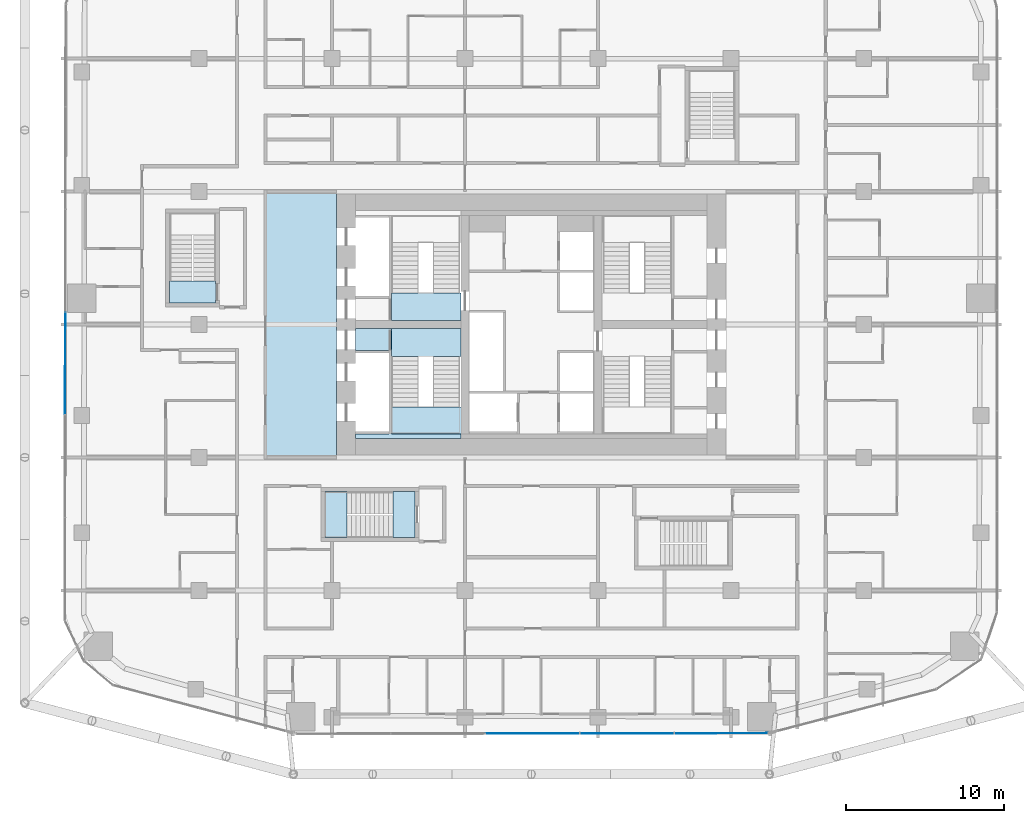
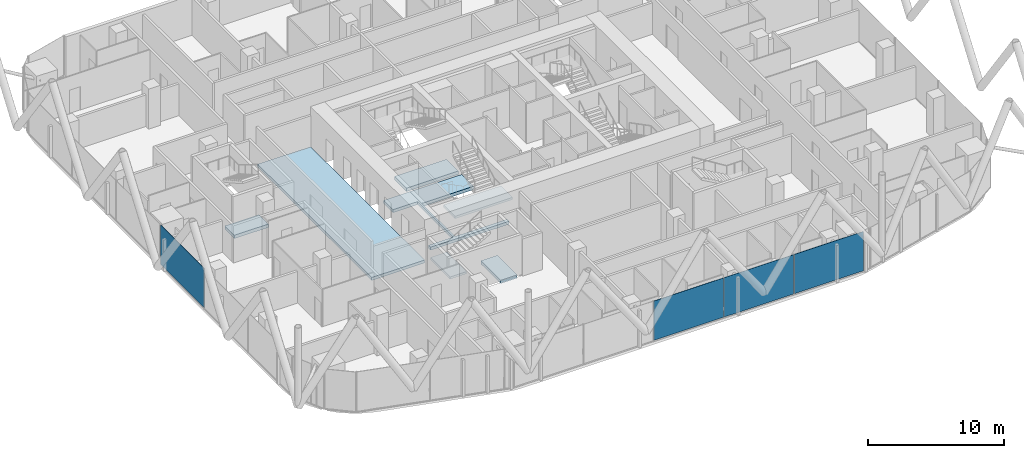
# One storey, part 19 of 34: 8 slabs, 4 plates, 4 elements without a shape of their own.
"""IFC4 building model written with IfcOpenShell, lengths in metres."""

from ifc_helpers import new_model, si_unit, direction, frame, origin, origin_2d, place, context, subcontext, project, spatial, polyline, rectangle, outline, extrude, material, layer, layer_set, type_object, element, aggregate, save


model = new_model("IFC4")

# Units and contexts
model_context = context("Model", 3, precision=1e-05, world=origin(), true_north=direction((0.0, 1.0)))
body_context = subcontext(model_context, "Body", "Model", "MODEL_VIEW")
ifc_project = project(units=[si_unit("LENGTHUNIT", "METRE"), si_unit("AREAUNIT", "SQUARE_METRE"), si_unit("VOLUMEUNIT", "CUBIC_METRE"), si_unit("PLANEANGLEUNIT", "RADIAN"), si_unit("MASSUNIT", "GRAM", prefix="KILO")], contexts=[model_context])

# Site, building, storey
site_placement = place(None, origin())
site = spatial("IfcSite", under=ifc_project, at=site_placement, CompositionType="ELEMENT")
building_placement = place(site_placement, origin())
building = spatial("IfcBuilding", under=site, at=building_placement, Name="Marenta Gate Hotel Tower", CompositionType="ELEMENT")
storey_placement = place(building_placement, frame((0.0, 0.0, 47.300048828125)))
storey = spatial("IfcBuildingStorey", under=building, at=storey_placement, Name="L09", CompositionType="ELEMENT", Elevation=47.300048828125)

# Slabs
ifc_material_1 = material(Name="Concrete C40", Category="concrete")
ifc_layer_1 = layer(ifc_material_1, 0.260009765625)
ifc_layer_set_1 = layer_set([ifc_layer_1], Name="Concrete C40")
slab_type_1 = type_object("IfcSlabType", Name="Core floor slab 260", PredefinedType="FLOOR", material=ifc_layer_set_1)
slab_1_placement = place(storey_placement, frame((0.0, 0.0, -0.260009765625)))
element("IfcSlab", 1, at=slab_1_placement, inside=storey, type_object=slab_type_1, Name="L09-CF-5", PredefinedType="FLOOR", context=body_context, shape_type="SweptSolid", body=[
    extrude(outline(polyline([(-9.0, 1.5), (-9.0, 1.64990234375), (-9.0, 4.050048828125), (-9.0, 4.199951171875), (-9.0, 6.60009765625), (-9.0, 6.75), (-11.10009765625, 6.75), (-11.10009765625, 8.14990234375), (-8.85009765625, 8.14990234375), (-8.85009765625, 8.10009765625), (-8.85009765625, 6.39990234375), (-8.85009765625, 1.5), (-4.449951171875, 1.5), (-4.449951171875, 1.199951171875), (-11.10009765625, 1.199951171875), (-11.10009765625, 1.5), (-9.0, 1.5)])), origin(), (0.0, 0.0, 1.0), 0.260009765625),
])
slab_2_placement = place(storey_placement, frame((0.0, 0.0, -0.260009765625)))
element("IfcSlab", 2, at=slab_2_placement, inside=storey, type_object=slab_type_1, Name="L09-CF-7", PredefinedType="FLOOR", context=body_context, shape_type="SweptSolid", body=[
    extrude(outline(polyline([(-12.300048828125, 16.800048828125), (-12.300048828125, 0.0), (-16.800048828125, 0.0), (-16.800048828125, 16.800048828125), (-12.300048828125, 16.800048828125)])), origin(), (0.0, 0.0, 1.0), 0.260009765625),
])

# Stair, slab
ifc_material_2 = material(Name="Concrete C40", Category="concrete")
stair_type_1 = type_object("IfcStairType", Name="Core exit stair 1700 wide", PredefinedType="HALF_TURN_STAIR", material=ifc_material_2)
stair_1_placement = place(storey_placement, origin())
stair_1 = element("IfcStair", 3, at=stair_1_placement, inside=storey, type_object=stair_type_1, Name="Exit stair 1", PredefinedType="HALF_TURN_STAIR")
ifc_material_3 = material(Name="Concrete C40", Category="concrete")
ifc_layer_2 = layer(ifc_material_3, 0.199951171875)
ifc_layer_set_2 = layer_set([ifc_layer_2], Name="Concrete C40")
slab_type_2 = type_object("IfcSlabType", Name="Core stair landing 200", PredefinedType="LANDING", material=ifc_layer_set_2)
slab_3_placement = place(storey_placement, frame((0.0, 0.0, 1.599853515625)))
slab_3 = element("IfcSlab", 4, at=slab_3_placement, type_object=slab_type_2, Name="SL-200 ST1 landing 1", PredefinedType="LANDING", context=body_context, shape_type="SweptSolid", body=[
    extrude(outline(polyline([(-8.85009765625, 1.5), (-3.949951171875, 1.5), (-3.949951171875, 3.2099609375), (-8.85009765625, 3.2099609375), (-8.85009765625, 1.5)])), origin(), (0.0, 0.0, 1.0), 0.2001953125),
])
aggregate(stair_1, [slab_3])

# Curtain wall, plate
ifc_material_4 = material(Name="Tinted insulated glass in bronze anodised frame", Category="glass")
ifc_layer_3 = layer(ifc_material_4, 0.1201171875)
ifc_layer_set_3 = layer_set([ifc_layer_3], Name="Tinted insulated glass in bronze anodised frame")
curtain_wall_type = type_object("IfcCurtainWallType", Name="Tower unitised curtain wall CW1", PredefinedType="NOTDEFINED", material=ifc_layer_set_3)
curtain_wall_1_placement = place(storey_placement, origin())
curtain_wall_1 = element("IfcCurtainWall", 5, at=curtain_wall_1_placement, inside=storey, type_object=curtain_wall_type, Name="CW1 run G04", PredefinedType="NOTDEFINED")
ifc_material_5 = material(Name="Tinted insulated glass", Category="glass")
ifc_layer_4 = layer(ifc_material_5, 0.028076171875)
ifc_layer_set_4 = layer_set([ifc_layer_4], Name="Tinted insulated glass")
plate_type = type_object("IfcPlateType", Name="Glass panel CW1 28 mm tinted insulated unit", PredefinedType="CURTAIN_PANEL", material=ifc_layer_set_4)
plate_1_placement = place(storey_placement, frame((-29.447998046875, 5.949951171875, 0.059814453125), z_axis=(0.0, 0.0, 1.0), x_axis=(-0.00156642217, -0.99999877316, 0.0)))
plate_1 = element("IfcPlate", 6, at=plate_1_placement, type_object=plate_type, Name="CW1 panel 4.1", PredefinedType="CURTAIN_PANEL", context=body_context, shape_type="SweptSolid", body=[
    extrude(rectangle(XDim=6.430419921875, YDim=0.028076171875, at=origin_2d()), origin(), (0.0, 0.0, 1.0), 3.5400390625),
])
aggregate(curtain_wall_1, [plate_1])

# Curtain wall, plates
curtain_wall_2_placement = place(storey_placement, origin())
curtain_wall_2 = element("IfcCurtainWall", 7, at=curtain_wall_2_placement, inside=storey, type_object=curtain_wall_type, Name="CW1 run G11", PredefinedType="NOTDEFINED")
plate_2_placement = place(storey_placement, frame((0.0615234375, -17.430419921875, 0.059814453125), z_axis=(0.0, 0.0, 1.0), x_axis=(0.999999324969, 0.001161921639, 0.0)))
plate_2 = element("IfcPlate", 8, at=plate_2_placement, type_object=plate_type, Name="CW1 panel 3.1", PredefinedType="CURTAIN_PANEL", context=body_context, shape_type="SweptSolid", body=[
    extrude(rectangle(XDim=5.912841796875, YDim=0.028076171875, at=origin_2d()), origin(), (0.0, 0.0, 1.0), 3.5400390625),
])
plate_3_placement = place(storey_placement, frame((6.034423828125, -17.423583984375, 0.059814453125), z_axis=(0.0, 0.0, 1.0), x_axis=(0.999999324969, 0.001161921639, 0.0)))
plate_3 = element("IfcPlate", 9, at=plate_3_placement, type_object=plate_type, Name="CW1 panel 4.1", PredefinedType="CURTAIN_PANEL", context=body_context, shape_type="SweptSolid", body=[
    extrude(rectangle(XDim=5.912841796875, YDim=0.028076171875, at=origin_2d()), origin(), (0.0, 0.0, 1.0), 3.5400390625),
])
plate_4_placement = place(storey_placement, frame((11.9921875, -17.41650390625, 0.059814453125), z_axis=(0.0, 0.0, 1.0), x_axis=(0.999999324969, 0.001161921639, 0.0)))
plate_4 = element("IfcPlate", 10, at=plate_4_placement, type_object=plate_type, Name="CW1 panel 5.1", PredefinedType="CURTAIN_PANEL", context=body_context, shape_type="SweptSolid", body=[
    extrude(rectangle(XDim=5.8828125, YDim=0.028076171875, at=origin_2d()), origin(), (0.0, 0.0, 1.0), 3.5400390625),
])
aggregate(curtain_wall_2, [plate_2, plate_3, plate_4])

# Stair, slab
ifc_material_6 = material(Name="Concrete C40", Category="concrete")
stair_type_2 = type_object("IfcStairType", Name="Remote exit stair 1400 wide", PredefinedType="HALF_TURN_STAIR", material=ifc_material_6)
stair_2_placement = place(storey_placement, origin())
stair_2 = element("IfcStair", 11, at=stair_2_placement, inside=storey, type_object=stair_type_2, Name="Exit stair RS-Z1-2", PredefinedType="HALF_TURN_STAIR")
ifc_material_7 = material(Name="Concrete C40", Category="concrete")
ifc_layer_5 = layer(ifc_material_7, 0.199951171875)
ifc_layer_set_5 = layer_set([ifc_layer_5], Name="Concrete C40")
slab_type_3 = type_object("IfcSlabType", Name="Remote stair landing 200", PredefinedType="LANDING", material=ifc_layer_set_5)
slab_4_placement = place(storey_placement, frame((0.0, 0.0, 1.599853515625)))
slab_4 = element("IfcSlab", 12, at=slab_4_placement, type_object=slab_type_3, Name="RL-200 RS-Z1-2 landing 1", PredefinedType="LANDING", context=body_context, shape_type="SweptSolid", body=[
    extrude(outline(polyline([(-13.050048828125, -5.050048828125), (-11.64990234375, -5.050048828125), (-11.64990234375, -2.14990234375), (-13.050048828125, -2.14990234375), (-13.050048828125, -5.050048828125)])), origin(), (0.0, 0.0, 1.0), 0.2001953125),
])
aggregate(stair_2, [slab_4])

# Slabs
ifc_material_8 = material(Name="Concrete C40", Category="concrete")
ifc_layer_6 = layer(ifc_material_8, 0.300048828125)
ifc_layer_set_6 = layer_set([ifc_layer_6], Name="Concrete C40")
slab_type_4 = type_object("IfcSlabType", Name="Stair floor landing slab 300", PredefinedType="FLOOR", material=ifc_layer_set_6)
slab_5_placement = place(storey_placement, frame((0.0, 0.0, -0.300048828125)))
element("IfcSlab", 13, at=slab_5_placement, inside=storey, type_object=slab_type_4, Name="L09-CL-ST1-1", PredefinedType="FLOOR", context=body_context, shape_type="SweptSolid", body=[
    extrude(outline(polyline([(-4.449951171875, 6.39990234375), (-8.85009765625, 6.39990234375), (-8.85009765625, 8.10009765625), (-8.85009765625, 8.14990234375), (-4.449951171875, 8.14990234375), (-4.449951171875, 6.39990234375)])), origin(), (0.0, 0.0, 1.0), 0.300048828125),
])
slab_6_placement = place(storey_placement, frame((0.0, 0.0, -0.300048828125)))
element("IfcSlab", 14, at=slab_6_placement, inside=storey, type_object=slab_type_4, Name="L09-CL-ST2-1", PredefinedType="FLOOR", context=body_context, shape_type="SweptSolid", body=[
    extrude(outline(polyline([(-4.449951171875, 8.64990234375), (-8.85009765625, 8.64990234375), (-8.85009765625, 8.699951171875), (-8.85009765625, 10.39990234375), (-4.449951171875, 10.39990234375), (-4.449951171875, 8.64990234375)])), origin(), (0.0, 0.0, 1.0), 0.300048828125),
])
slab_7_placement = place(storey_placement, frame((0.0, 0.0, -0.300048828125)))
element("IfcSlab", 15, at=slab_7_placement, inside=storey, type_object=slab_type_4, Name="L09-RS-Z1-2-CL", PredefinedType="FLOOR", context=body_context, shape_type="SweptSolid", body=[
    extrude(outline(polyline([(-7.35009765625, -5.050048828125), (-7.35009765625, -2.14990234375), (-8.75, -2.14990234375), (-8.75, -5.050048828125), (-7.35009765625, -5.050048828125)])), origin(), (0.0, 0.0, 1.0), 0.300048828125),
])
slab_8_placement = place(storey_placement, frame((0.0, 0.0, -0.300048828125)))
element("IfcSlab", 16, at=slab_8_placement, inside=storey, type_object=slab_type_4, Name="L09-RS-Z1-3-CL", PredefinedType="FLOOR", context=body_context, shape_type="SweptSolid", body=[
    extrude(outline(polyline([(-19.949951171875, 9.75), (-19.949951171875, 11.14990234375), (-22.85009765625, 11.14990234375), (-22.85009765625, 9.75), (-19.949951171875, 9.75)])), origin(), (0.0, 0.0, 1.0), 0.300048828125),
])

save(model, "model.ifc")
